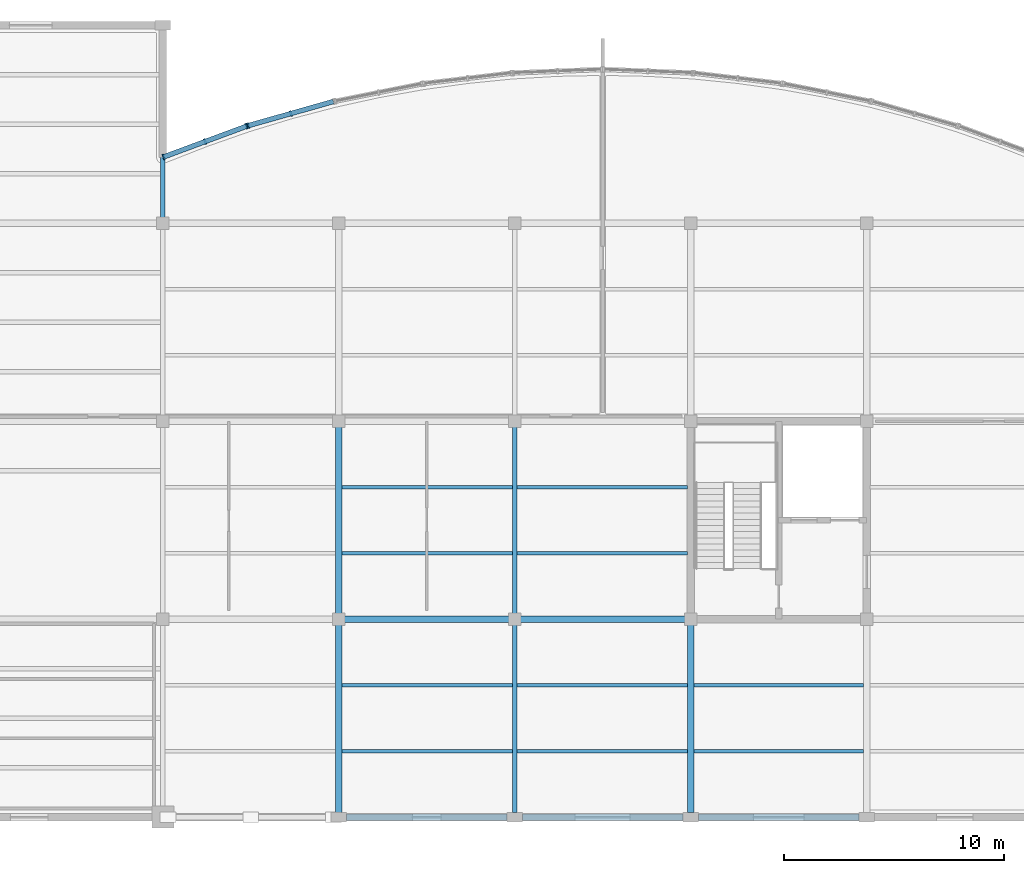
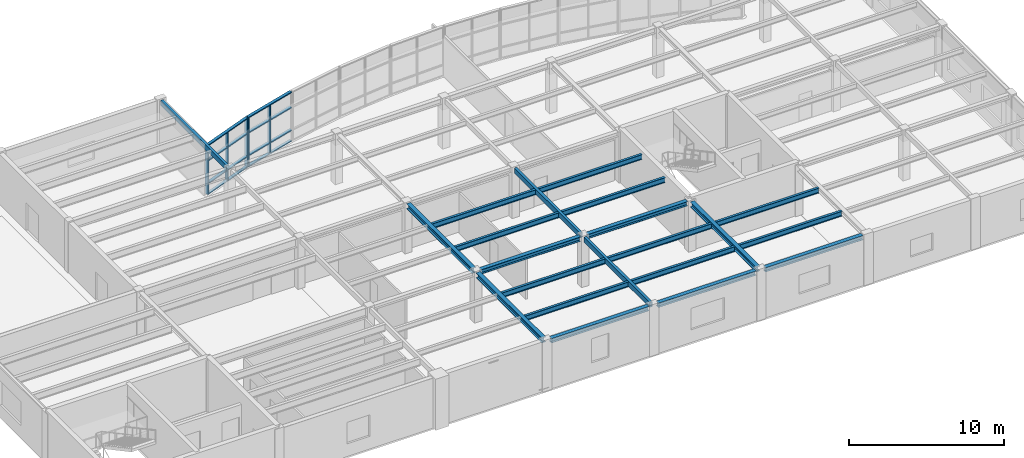
# One storey, part 2 of 12: 21 beams, 13 members, 2 elements without a shape of their own.
"""IFC4 building model written with IfcOpenShell, lengths in metres."""

import ifcopenshell
import ifcopenshell.guid

model = None  # the IFC model being written
_history = None  # IfcOwnerHistory: only IFC2X3 demands one
_inside = {}  # id of a spatial element -> (the spatial element, [elements in it])
_under = {}  # id of a project, library or spatial element -> (it, [spatial elements below it])
_declared = {}  # id of a project -> (the project, [libraries it declares])
_typed = {}  # id of a type object -> (the type object, [elements of that type])
_made_of = {}  # id of a material, layer set ... -> (it, [elements and type objects made of it])


def new_model(schema):
    """Start an empty IFC model of exactly this schema.

    Asked for "IFC4X3", IfcOpenShell would pick the latest addendum, in which some entities
    have other attributes; the version numbers below select the first issue.
    IFC2X3 requires an IfcOwnerHistory on every rooted entity: one is made here for all.
    """
    global model, _history
    if schema == "IFC4X3":
        model = ifcopenshell.file(schema_version=(4, 3, 0, 0))
    else:
        model = ifcopenshell.file(schema=schema)
    _inside.clear()
    _under.clear()
    _declared.clear()
    _typed.clear()
    _made_of.clear()
    _history = None
    if model.schema == "IFC2X3":
        org = make("IfcOrganization", Name="unknown")
        user = make(
            "IfcPersonAndOrganization",
            ThePerson=make("IfcPerson", FamilyName="unknown"),
            TheOrganization=org,
        )
        app = make(
            "IfcApplication",
            ApplicationDeveloper=org,
            Version="unknown",
            ApplicationFullName="unknown",
            ApplicationIdentifier="unknown",
        )
        _history = make(
            "IfcOwnerHistory",
            OwningUser=user,
            OwningApplication=app,
            ChangeAction="ADDED",
            CreationDate=0,
        )
    return model


def make(cls, **values):
    """One entity of the class cls with the attributes given. An attribute that is None is left unset."""
    return model.create_entity(
        cls, **{name: value for name, value in values.items() if value is not None}
    )


def rooted(cls, **values):
    """An entity with a GlobalId (a new one), such as an element, a storey or a relation."""
    return make(cls, GlobalId=ifcopenshell.guid.new(), OwnerHistory=_history, **values)


def si_unit(unit_type, name, prefix=None):
    """IfcSIUnit, for example si_unit("LENGTHUNIT", "METRE", prefix="MILLI")."""
    return make("IfcSIUnit", UnitType=unit_type, Prefix=prefix, Name=name)


def assignment(units):
    """IfcUnitAssignment: the units of a project."""
    return None if units is None else make("IfcUnitAssignment", Units=units)


def point(xyz):
    """IfcCartesianPoint."""
    return None if xyz is None else make("IfcCartesianPoint", Coordinates=xyz)


def direction(xyz):
    """IfcDirection."""
    return None if xyz is None else make("IfcDirection", DirectionRatios=xyz)


def frame(location, z_axis=None, x_axis=None):
    """IfcAxis2Placement3D, a coordinate frame: its origin and axes. An axis left out is left unset."""
    return make(
        "IfcAxis2Placement3D",
        Location=point(location),
        Axis=direction(z_axis),
        RefDirection=direction(x_axis),
    )


def frame_2d(location, x_axis=None):
    """IfcAxis2Placement2D, a coordinate frame in the plane: its origin and x axis."""
    return make(
        "IfcAxis2Placement2D", Location=point(location), RefDirection=direction(x_axis)
    )


def origin():
    """The frame at (0, 0, 0) with its axes left unset."""
    return frame((0.0, 0.0, 0.0))


def origin_2d():
    """The frame at (0, 0) in the plane with its x axis left unset."""
    return frame_2d((0.0, 0.0))


def place(relative_to, where):
    """IfcLocalPlacement: puts the frame where relative to a parent placement (None: the world)."""
    return make(
        "IfcLocalPlacement", PlacementRelTo=relative_to, RelativePlacement=where
    )


def context(
    kind, dimensions, precision=None, world=None, true_north=None, identifier=None
):
    """IfcGeometricRepresentationContext, for example the 3D "Model" context."""
    return make(
        "IfcGeometricRepresentationContext",
        ContextIdentifier=identifier,
        ContextType=kind,
        CoordinateSpaceDimension=dimensions,
        Precision=precision,
        WorldCoordinateSystem=world,
        TrueNorth=true_north,
    )


def subcontext(parent, identifier, kind, view, scale=None):
    """IfcGeometricRepresentationSubContext, for example "Body" below "Model"."""
    return make(
        "IfcGeometricRepresentationSubContext",
        ContextIdentifier=identifier,
        ContextType=kind,
        ParentContext=parent,
        TargetScale=scale,
        TargetView=view,
    )


def project(units=None, contexts=None):
    """IfcProject with its units and contexts."""
    return rooted(
        "IfcProject",
        Name="project",
        RepresentationContexts=contexts,
        UnitsInContext=assignment(units),
    )


def spatial(cls, under=None, at=None, **own):
    """A site, building, storey or space (cls), placed at a placement, below another one or the project."""
    s = rooted(cls, ObjectPlacement=at, **own)
    if under is not None:
        _under.setdefault(under.id(), (under, []))[1].append(s)
    return s


def profile(cls, at=None, kind="AREA", **sizes):
    """A parametric profile (cls). Its sizes go by their IFC names, for example OverallWidth=200.0."""
    return make(cls, ProfileType=kind, Position=at, **sizes)


def rectangle(**sizes):
    """IfcRectangleProfileDef."""
    return profile("IfcRectangleProfileDef", **sizes)


def hollow_rectangle(**sizes):
    """IfcRectangleHollowProfileDef."""
    return profile("IfcRectangleHollowProfileDef", **sizes)


def i_section(**sizes):
    """IfcIShapeProfileDef."""
    return profile("IfcIShapeProfileDef", **sizes)


def extrude(swept, where, along, depth):
    """IfcExtrudedAreaSolid: the profile swept, set in the frame where, extruded along a direction by depth."""
    return make(
        "IfcExtrudedAreaSolid",
        SweptArea=swept,
        Position=where,
        ExtrudedDirection=direction(along),
        Depth=depth,
    )


def shape(context_of_items, identifier, shape_type, items):
    """IfcShapeRepresentation: the items that make up one representation, for example the "Body"."""
    return make(
        "IfcShapeRepresentation",
        ContextOfItems=context_of_items,
        RepresentationIdentifier=identifier,
        RepresentationType=shape_type,
        Items=items,
    )


def material(Name=None, Category=None):
    """IfcMaterial."""
    return make("IfcMaterial", Name=Name, Category=Category)


def layer(
    of_material, thickness, ventilated=None, Name=None, Category=None, Priority=None
):
    """IfcMaterialLayer: one layer of a wall or slab, of a material (None: an air gap)."""
    return make(
        "IfcMaterialLayer",
        Material=of_material,
        LayerThickness=thickness,
        IsVentilated=ventilated,
        Name=Name,
        Category=Category,
        Priority=Priority,
    )


def layer_set(layers, Name=None):
    """IfcMaterialLayerSet."""
    return make("IfcMaterialLayerSet", MaterialLayers=layers, LayerSetName=Name)


def material_profile(
    of_material, cross_section, Name=None, Category=None, Priority=None
):
    """IfcMaterialProfile: a cross section and its material."""
    return make(
        "IfcMaterialProfile",
        Name=Name,
        Material=of_material,
        Profile=cross_section,
        Priority=Priority,
        Category=Category,
    )


def profile_set(profiles, Name=None, composite=None):
    """IfcMaterialProfileSet."""
    return make(
        "IfcMaterialProfileSet",
        Name=Name,
        MaterialProfiles=profiles,
        CompositeProfile=composite,
    )


def made_of(thing, what):
    """Note that an element or type object is made of a material, layer set ...; save() writes the relation."""
    if what is not None:
        _made_of.setdefault(what.id(), (what, []))[1].append(thing)
    return thing


def type_object(cls, material=None, **own):
    """A type object (cls), such as IfcWallType, which elements share."""
    return made_of(rooted(cls, **own), material)


def element(
    cls,
    number,
    at=None,
    inside=None,
    cuts=None,
    type_object=None,
    material=None,
    context=None,
    identifier="Body",
    shape_type=None,
    held_by="IfcProductDefinitionShape",
    body=None,
    shapes=None,
    **own,
):
    """One element of the class cls, such as IfcWall. Its Tag is "e" and its number.

    at: its placement. inside: the storey or other place that contains it. cuts: it is an
    opening in that element (IfcRelVoidsElement). A single representation is given by context,
    identifier, shape_type and body (its items); several are given by shapes. held_by: the class
    of the entity that holds the representations. save() writes the other relations.
    """
    e = rooted(cls, Tag="e%d" % number, ObjectPlacement=at, **own)
    if body is not None:
        shapes = [shape(context, identifier, shape_type, body)]
    if shapes is not None:
        e.Representation = make(held_by, Representations=shapes)
    if inside is not None:
        _inside.setdefault(inside.id(), (inside, []))[1].append(e)
    if cuts is not None:
        rooted(
            "IfcRelVoidsElement", RelatingBuildingElement=cuts, RelatedOpeningElement=e
        )
    if type_object is not None:
        _typed.setdefault(type_object.id(), (type_object, []))[1].append(e)
    return made_of(e, material)


def aggregate(whole, parts):
    """IfcRelAggregates: a whole, such as a stair, and the parts it consists of."""
    return rooted("IfcRelAggregates", RelatingObject=whole, RelatedObjects=parts)


def save(model, path):
    """Write the relations noted so far, then the file.

    IfcRelAggregates (storeys below a building ...), IfcRelContainedInSpatialStructure (elements
    in a storey), IfcRelDefinesByType, IfcRelAssociatesMaterial and IfcRelDeclares: one each for
    every whole, place, type object, material and project.
    """
    for whole, parts in _under.values():
        aggregate(whole, parts)
    for where, things in _inside.values():
        rooted(
            "IfcRelContainedInSpatialStructure",
            RelatedElements=things,
            RelatingStructure=where,
        )
    for kind, things in _typed.values():
        rooted("IfcRelDefinesByType", RelatedObjects=things, RelatingType=kind)
    for what, things in _made_of.values():
        rooted("IfcRelAssociatesMaterial", RelatedObjects=things, RelatingMaterial=what)
    for by, libraries in _declared.values():
        rooted("IfcRelDeclares", RelatingContext=by, RelatedDefinitions=libraries)
    model.write(path)


model = new_model("IFC4")

# Units and contexts
model_context = context("Model", 3, precision=1e-05, world=origin(), true_north=direction((0.0, 1.0)))
body_context = subcontext(model_context, "Body", "Model", "MODEL_VIEW")
ifc_project = project(units=[si_unit("LENGTHUNIT", "METRE"), si_unit("AREAUNIT", "SQUARE_METRE"), si_unit("VOLUMEUNIT", "CUBIC_METRE"), si_unit("PLANEANGLEUNIT", "RADIAN"), si_unit("MASSUNIT", "GRAM", prefix="KILO")], contexts=[model_context])

# Site, building, storey
site_placement = place(None, origin())
site = spatial("IfcSite", under=ifc_project, at=site_placement, CompositionType="ELEMENT")
building_placement = place(site_placement, origin())
building = spatial("IfcBuilding", under=site, at=building_placement, Name="Keelwater Ferry Terminal", CompositionType="ELEMENT")
storey_placement = place(building_placement, frame((0.0, 0.0, 19.5)))
storey = spatial("IfcBuildingStorey", under=building, at=storey_placement, Name="L04", CompositionType="ELEMENT", Elevation=19.5)

# Curtain wall, members
ifc_material_1 = material(Name="Thermally broken unitised aluminium and triple glass", Category="aluminium")
ifc_layer = layer(ifc_material_1, 0.179931640625)
ifc_layer_set = layer_set([ifc_layer], Name="Thermally broken unitised aluminium and triple glass")
curtain_wall_type = type_object("IfcCurtainWallType", Name="CW-23 Unitised Curtain Wall 4015x3850", PredefinedType="USERDEFINED", material=ifc_layer_set)
curtain_wall_1_placement = place(storey_placement, origin())
curtain_wall_1 = element("IfcCurtainWall", 1, at=curtain_wall_1_placement, inside=storey, type_object=curtain_wall_type, Name="Unitised Curtain Wall CW-L04-221", ObjectType="UNITISED CURTAIN WALL", PredefinedType="USERDEFINED")
ifc_material_2 = material(Name="Aluminium mullion", Category="aluminium")
ifc_material_profile_1 = material_profile(ifc_material_2, rectangle(XDim=0.080078125, YDim=0.25, at=origin_2d()), Name="CWM-04")
ifc_profile_set_1 = profile_set([ifc_material_profile_1], Name="Aluminium mullion")
member_type_1 = type_object("IfcMemberType", Name="CWM-04 Curtain Mullion 80x250", PredefinedType="MULLION", material=ifc_profile_set_1)
member_1_placement = place(storey_placement, frame((137.822509765625, 121.988037109375, 0.0), z_axis=(0.0, 0.0, 1.0), x_axis=(-0.962029778706, -0.272944508797, 0.0)))
member_1 = element("IfcMember", 2, at=member_1_placement, type_object=member_type_1, Name="CW-L04-221 Mullion 2", PredefinedType="MULLION", context=body_context, shape_type="SweptSolid", body=[
    extrude(rectangle(XDim=0.080078125, YDim=0.25, at=origin_2d()), origin(), (0.0, 0.0, 1.0), 3.85009765625),
])
member_2_placement = place(storey_placement, frame((135.89111328125, 121.43994140625, 0.0), z_axis=(0.0, 0.0, 1.0), x_axis=(-0.962029778706, -0.272944508797, 0.0)))
member_2 = element("IfcMember", 3, at=member_2_placement, type_object=member_type_1, Name="CW-L04-221 Mullion 3", PredefinedType="MULLION", context=body_context, shape_type="SweptSolid", body=[
    extrude(rectangle(XDim=0.080078125, YDim=0.25, at=origin_2d()), origin(), (0.0, 0.0, 1.0), 3.85009765625),
])

curtain_wall_2_placement = place(storey_placement, origin())
curtain_wall_2 = element("IfcCurtainWall", 4, at=curtain_wall_2_placement, inside=storey, type_object=curtain_wall_type, Name="Unitised Curtain Wall CW-L04-222", ObjectType="UNITISED CURTAIN WALL", PredefinedType="USERDEFINED")
member_3_placement = place(storey_placement, frame((135.805908203125, 121.412109375, 0.0), z_axis=(0.0, 0.0, 1.0), x_axis=(-0.937592418253, -0.347736189136, 0.0)))
member_3 = element("IfcMember", 5, at=member_3_placement, type_object=member_type_1, Name="CW-L04-222 Mullion 1", PredefinedType="MULLION", context=body_context, shape_type="SweptSolid", body=[
    extrude(rectangle(XDim=0.080078125, YDim=0.25, at=origin_2d()), origin(), (0.0, 0.0, 1.0), 3.85009765625),
])
member_4_placement = place(storey_placement, frame((133.924072265625, 120.714111328125, 0.0), z_axis=(0.0, 0.0, 1.0), x_axis=(-0.937592418253, -0.347736189136, 0.0)))
member_4 = element("IfcMember", 6, at=member_4_placement, type_object=member_type_1, Name="CW-L04-222 Mullion 2", PredefinedType="MULLION", context=body_context, shape_type="SweptSolid", body=[
    extrude(rectangle(XDim=0.080078125, YDim=0.25, at=origin_2d()), origin(), (0.0, 0.0, 1.0), 3.85009765625),
])
member_5_placement = place(storey_placement, frame((132.0419921875, 120.01611328125, 0.0), z_axis=(0.0, 0.0, 1.0), x_axis=(-0.937592418253, -0.347736189136, 0.0)))
member_5 = element("IfcMember", 7, at=member_5_placement, type_object=member_type_1, Name="CW-L04-222 Mullion 3", PredefinedType="MULLION", context=body_context, shape_type="SweptSolid", body=[
    extrude(rectangle(XDim=0.080078125, YDim=0.25, at=origin_2d()), origin(), (0.0, 0.0, 1.0), 3.85009765625),
])

# Member
ifc_material_3 = material(Name="Aluminium mullion", Category="aluminium")
ifc_material_profile_2 = material_profile(ifc_material_3, rectangle(XDim=0.219970703125, YDim=0.080078125, at=origin_2d()), Name="CWT-04")
ifc_profile_set_2 = profile_set([ifc_material_profile_2], Name="Aluminium mullion")
member_type_2 = type_object("IfcMemberType", Name="CWT-04 Curtain Transom 80x220", PredefinedType="USERDEFINED", material=ifc_profile_set_2)
member_6_placement = place(storey_placement, frame((139.75390625, 122.535888671875, 0.0), z_axis=(-0.962029386072, -0.272945892686, 0.0), x_axis=(0.272945892686, -0.962029386072, 0.0)))
member_6 = element("IfcMember", 8, at=member_6_placement, type_object=member_type_2, Name="CW-L04-221 Transom 1", ObjectType="TRANSOM", PredefinedType="USERDEFINED", context=body_context, shape_type="SweptSolid", body=[
    extrude(rectangle(XDim=0.219970703125, YDim=0.080078125, at=origin_2d()), origin(), (0.0, 0.0, 1.0), 4.01513671875),
])

member_7_placement = place(storey_placement, frame((139.75390625, 122.535888671875, 0.85009765625), z_axis=(-0.962029386072, -0.272945892686, 0.0), x_axis=(0.272945892686, -0.962029386072, 0.0)))
member_7 = element("IfcMember", 9, at=member_7_placement, type_object=member_type_2, Name="CW-L04-221 Transom 2", ObjectType="TRANSOM", PredefinedType="USERDEFINED", context=body_context, shape_type="SweptSolid", body=[
    extrude(rectangle(XDim=0.219970703125, YDim=0.080078125, at=origin_2d()), origin(), (0.0, 0.0, 1.0), 4.01513671875),
])

member_8_placement = place(storey_placement, frame((139.75390625, 122.535888671875, 2.64990234375), z_axis=(-0.962029386072, -0.272945892686, 0.0), x_axis=(0.272945892686, -0.962029386072, 0.0)))
member_8 = element("IfcMember", 10, at=member_8_placement, type_object=member_type_2, Name="CW-L04-221 Transom 3", ObjectType="TRANSOM", PredefinedType="USERDEFINED", context=body_context, shape_type="SweptSolid", body=[
    extrude(rectangle(XDim=0.219970703125, YDim=0.080078125, at=origin_2d()), origin(), (0.0, 0.0, 1.0), 4.01513671875),
])

member_9_placement = place(storey_placement, frame((139.75390625, 122.535888671875, 3.85009765625), z_axis=(-0.962029386072, -0.272945892686, 0.0), x_axis=(0.272945892686, -0.962029386072, 0.0)))
member_9 = element("IfcMember", 11, at=member_9_placement, type_object=member_type_2, Name="CW-L04-221 Transom 4", ObjectType="TRANSOM", PredefinedType="USERDEFINED", context=body_context, shape_type="SweptSolid", body=[
    extrude(rectangle(XDim=0.219970703125, YDim=0.080078125, at=origin_2d()), origin(), (0.0, 0.0, 1.0), 4.01513671875),
])

aggregate(curtain_wall_1, [member_1, member_2, member_6, member_7, member_8, member_9])

member_10_placement = place(storey_placement, frame((135.805908203125, 121.412109375, 0.0), z_axis=(-0.937590205769, -0.347742154543, 0.0), x_axis=(0.347742154543, -0.937590205769, 0.0)))
member_10 = element("IfcMember", 12, at=member_10_placement, type_object=member_type_2, Name="CW-L04-222 Transom 1", ObjectType="TRANSOM", PredefinedType="USERDEFINED", context=body_context, shape_type="SweptSolid", body=[
    extrude(rectangle(XDim=0.219970703125, YDim=0.080078125, at=origin_2d()), origin(), (0.0, 0.0, 1.0), 4.014404296875),
])

member_11_placement = place(storey_placement, frame((135.805908203125, 121.412109375, 0.85009765625), z_axis=(-0.937590205769, -0.347742154543, 0.0), x_axis=(0.347742154543, -0.937590205769, 0.0)))
member_11 = element("IfcMember", 13, at=member_11_placement, type_object=member_type_2, Name="CW-L04-222 Transom 2", ObjectType="TRANSOM", PredefinedType="USERDEFINED", context=body_context, shape_type="SweptSolid", body=[
    extrude(rectangle(XDim=0.219970703125, YDim=0.080078125, at=origin_2d()), origin(), (0.0, 0.0, 1.0), 4.014404296875),
])

member_12_placement = place(storey_placement, frame((135.805908203125, 121.412109375, 2.64990234375), z_axis=(-0.937590205769, -0.347742154543, 0.0), x_axis=(0.347742154543, -0.937590205769, 0.0)))
member_12 = element("IfcMember", 14, at=member_12_placement, type_object=member_type_2, Name="CW-L04-222 Transom 3", ObjectType="TRANSOM", PredefinedType="USERDEFINED", context=body_context, shape_type="SweptSolid", body=[
    extrude(rectangle(XDim=0.219970703125, YDim=0.080078125, at=origin_2d()), origin(), (0.0, 0.0, 1.0), 4.014404296875),
])

member_13_placement = place(storey_placement, frame((135.805908203125, 121.412109375, 3.85009765625), z_axis=(-0.937590205769, -0.347742154543, 0.0), x_axis=(0.347742154543, -0.937590205769, 0.0)))
member_13 = element("IfcMember", 15, at=member_13_placement, type_object=member_type_2, Name="CW-L04-222 Transom 4", ObjectType="TRANSOM", PredefinedType="USERDEFINED", context=body_context, shape_type="SweptSolid", body=[
    extrude(rectangle(XDim=0.219970703125, YDim=0.080078125, at=origin_2d()), origin(), (0.0, 0.0, 1.0), 4.014404296875),
])

aggregate(curtain_wall_2, [member_3, member_4, member_5, member_10, member_11, member_12, member_13])

# Beams
ifc_material_4 = material(Name="Steel S355", Category="steel")
ifc_material_profile_3 = material_profile(ifc_material_4, i_section(OverallWidth=0.300048828125, OverallDepth=0.39990234375, WebThickness=0.013427734375, FlangeThickness=0.02392578125, at=origin_2d()), Name="HEB 400")
ifc_profile_set_3 = profile_set([ifc_material_profile_3], Name="Steel S355")
beam_type_1 = type_object("IfcBeamType", Name="G7 HEB 400", PredefinedType="BEAM", material=ifc_profile_set_3)
beam_1_placement = place(storey_placement, frame((140.0, 90.219970703125, 3.739990234375), z_axis=(0.0, 1.0, 0.0), x_axis=(-1.0, 0.0, 0.0)))
element("IfcBeam", 16, at=beam_1_placement, inside=storey, type_object=beam_type_1, Name="Beam BM-L04-1497", PredefinedType="BEAM", context=body_context, shape_type="SweptSolid", body=[
    extrude(i_section(OverallWidth=0.300048828125, OverallDepth=0.39990234375, WebThickness=0.013427734375, FlangeThickness=0.02392578125, at=origin_2d()), origin(), (0.0, 0.0, 1.0), 8.510009765625),
])
beam_2_placement = place(storey_placement, frame((140.0, 99.27001953125, 3.739990234375), z_axis=(0.0, 1.0, 0.0), x_axis=(-1.0, 0.0, 0.0)))
element("IfcBeam", 17, at=beam_2_placement, inside=storey, type_object=beam_type_1, Name="Beam BM-L04-1498", PredefinedType="BEAM", context=body_context, shape_type="SweptSolid", body=[
    extrude(i_section(OverallWidth=0.300048828125, OverallDepth=0.39990234375, WebThickness=0.013427734375, FlangeThickness=0.02392578125, at=origin_2d()), origin(), (0.0, 0.0, 1.0), 8.4599609375),
])
beam_3_placement = place(storey_placement, frame((156.0, 90.219970703125, 3.739990234375), z_axis=(0.0, 1.0, 0.0), x_axis=(-1.0, 0.0, 0.0)))
element("IfcBeam", 18, at=beam_3_placement, inside=storey, type_object=beam_type_1, Name="Beam BM-L04-1503", PredefinedType="BEAM", context=body_context, shape_type="SweptSolid", body=[
    extrude(i_section(OverallWidth=0.300048828125, OverallDepth=0.39990234375, WebThickness=0.013427734375, FlangeThickness=0.02392578125, at=origin_2d()), origin(), (0.0, 0.0, 1.0), 8.510009765625),
])
ifc_material_5 = material(Name="Steel S355", Category="steel")
ifc_material_profile_4 = material_profile(ifc_material_5, i_section(OverallWidth=0.179931640625, OverallDepth=0.39990234375, WebThickness=0.008544921875, FlangeThickness=0.013427734375, at=origin_2d()), Name="IPE 400")
ifc_profile_set_4 = profile_set([ifc_material_profile_4], Name="Steel S355")
beam_type_2 = type_object("IfcBeamType", Name="J5 IPE 400", PredefinedType="JOIST", material=ifc_profile_set_4)
for number, where, z_axis, x_axis, name in (
    (19, (140.14990234375, 93.0, 3.739990234375), (1.0, 0.0, 0.0), (0.0, 1.0, 0.0), "Beam BM-L04-1536"),
    (20, (140.14990234375, 96.0, 3.739990234375), (1.0, 0.0, 0.0), (0.0, 1.0, 0.0), "Beam BM-L04-1537"),
    (21, (140.14990234375, 102.0, 3.739990234375), (1.0, 0.0, 0.0), (0.0, 1.0, 0.0), "Beam BM-L04-1538"),
    (22, (140.14990234375, 105.0, 3.739990234375), (1.0, 0.0, 0.0), (0.0, 1.0, 0.0), "Beam BM-L04-1539"),
    (23, (148.10009765625, 93.0, 3.739990234375), (1.0, 0.0, 0.0), (0.0, 1.0, 0.0), "Beam BM-L04-1542"),
    (24, (148.10009765625, 96.0, 3.739990234375), (1.0, 0.0, 0.0), (0.0, 1.0, 0.0), "Beam BM-L04-1543"),
    (25, (148.10009765625, 102.0, 3.739990234375), (1.0, 0.0, 0.0), (0.0, 1.0, 0.0), "Beam BM-L04-1544"),
    (26, (148.10009765625, 105.0, 3.739990234375), (1.0, 0.0, 0.0), (0.0, 1.0, 0.0), "Beam BM-L04-1545"),
):
    element("IfcBeam", number, at=place(storey_placement, frame(where, z_axis=z_axis, x_axis=x_axis)), inside=storey, type_object=beam_type_2, Name=name, PredefinedType="JOIST", context=body_context, shape_type="SweptSolid", body=[
        extrude(i_section(OverallWidth=0.179931640625, OverallDepth=0.39990234375, WebThickness=0.008544921875, FlangeThickness=0.013427734375, at=origin_2d()), origin(), (0.0, 0.0, 1.0), 7.75),
    ])
for number, where, z_axis, x_axis, name in (
    (27, (156.14990234375, 93.0, 3.739990234375), (1.0, 0.0, 0.0), (0.0, 1.0, 0.0), "Beam BM-L04-1548"),
    (28, (156.14990234375, 96.0, 3.739990234375), (1.0, 0.0, 0.0), (0.0, 1.0, 0.0), "Beam BM-L04-1549"),
):
    element("IfcBeam", number, at=place(storey_placement, frame(where, z_axis=z_axis, x_axis=x_axis)), inside=storey, type_object=beam_type_2, Name=name, PredefinedType="JOIST", context=body_context, shape_type="SweptSolid", body=[
        extrude(i_section(OverallWidth=0.179931640625, OverallDepth=0.39990234375, WebThickness=0.008544921875, FlangeThickness=0.013427734375, at=origin_2d()), origin(), (0.0, 0.0, 1.0), 7.7001953125),
    ])
ifc_material_6 = material(Name="Steel S355", Category="steel")
ifc_material_profile_5 = material_profile(ifc_material_6, i_section(OverallWidth=0.300048828125, OverallDepth=0.35009765625, WebThickness=0.010009765625, FlangeThickness=0.017578125, at=origin_2d()), Name="HEA 360")
ifc_profile_set_5 = profile_set([ifc_material_profile_5], Name="Steel S355")
beam_type_3 = type_object("IfcBeamType", Name="SP1E HEA 360", PredefinedType="SPANDREL", material=ifc_profile_set_5)
for number, where, z_axis, x_axis, name in (
    (29, (140.343017578125, 90.0, 3.764892578125), (1.0, 0.0, 0.0), (0.0, 1.0, 0.0), "Beam BM-L04-1457"),
    (30, (148.343017578125, 90.0, 3.764892578125), (1.0, 0.0, 0.0), (0.0, 1.0, 0.0), "Beam BM-L04-1458"),
    (31, (156.343017578125, 90.0, 3.764892578125), (1.0, 0.0, 0.0), (0.0, 1.0, 0.0), "Beam BM-L04-1459"),
):
    element("IfcBeam", number, at=place(storey_placement, frame(where, z_axis=z_axis, x_axis=x_axis)), inside=storey, type_object=beam_type_3, Name=name, PredefinedType="SPANDREL", context=body_context, shape_type="SweptSolid", body=[
        extrude(i_section(OverallWidth=0.300048828125, OverallDepth=0.35009765625, WebThickness=0.010009765625, FlangeThickness=0.017578125, at=origin_2d()), origin(), (0.0, 0.0, 1.0), 7.31396484375),
    ])
for number, where, z_axis, x_axis, name in (
    (32, (140.27001953125, 99.0, 3.764892578125), (1.0, 0.0, 0.0), (0.0, 1.0, 0.0), "Beam BM-L04-1465"),
    (33, (148.27001953125, 99.0, 3.764892578125), (1.0, 0.0, 0.0), (0.0, 1.0, 0.0), "Beam BM-L04-1466"),
):
    element("IfcBeam", number, at=place(storey_placement, frame(where, z_axis=z_axis, x_axis=x_axis)), inside=storey, type_object=beam_type_3, Name=name, PredefinedType="SPANDREL", context=body_context, shape_type="SweptSolid", body=[
        extrude(i_section(OverallWidth=0.300048828125, OverallDepth=0.35009765625, WebThickness=0.010009765625, FlangeThickness=0.017578125, at=origin_2d()), origin(), (0.0, 0.0, 1.0), 7.4599609375),
    ])
ifc_material_7 = material(Name="Steel S355", Category="steel")
ifc_material_profile_6 = material_profile(ifc_material_7, hollow_rectangle(XDim=0.199951171875, YDim=0.39990234375, WallThickness=0.01611328125, at=origin_2d()), Name="RHS 400x200x16")
ifc_profile_set_6 = profile_set([ifc_material_profile_6], Name="Steel S355")
beam_type_4 = type_object("IfcBeamType", Name="SP3E RHS 400x200x16", PredefinedType="SPANDREL", material=ifc_profile_set_6)
for number, where, z_axis, x_axis, name in (
    (34, (132.0, 117.27001953125, 3.739990234375), (0.0, 1.0, 0.0), (-1.0, 0.0, 0.0), "Beam BM-L04-1496"),
    (35, (148.0, 90.219970703125, 3.739990234375), (0.0, 1.0, 0.0), (-1.0, 0.0, 0.0), "Beam BM-L04-1500"),
):
    element("IfcBeam", number, at=place(storey_placement, frame(where, z_axis=z_axis, x_axis=x_axis)), inside=storey, type_object=beam_type_4, Name=name, PredefinedType="SPANDREL", context=body_context, shape_type="SweptSolid", body=[
        extrude(hollow_rectangle(XDim=0.199951171875, YDim=0.39990234375, WallThickness=0.01611328125, at=origin_2d()), origin(), (0.0, 0.0, 1.0), 8.510009765625),
    ])
beam_4_placement = place(storey_placement, frame((148.0, 99.27001953125, 3.739990234375), z_axis=(0.0, 1.0, 0.0), x_axis=(-1.0, 0.0, 0.0)))
element("IfcBeam", 36, at=beam_4_placement, inside=storey, type_object=beam_type_4, Name="Beam BM-L04-1501", PredefinedType="SPANDREL", context=body_context, shape_type="SweptSolid", body=[
    extrude(hollow_rectangle(XDim=0.199951171875, YDim=0.39990234375, WallThickness=0.01611328125, at=origin_2d()), origin(), (0.0, 0.0, 1.0), 8.4599609375),
])

save(model, "model.ifc")
